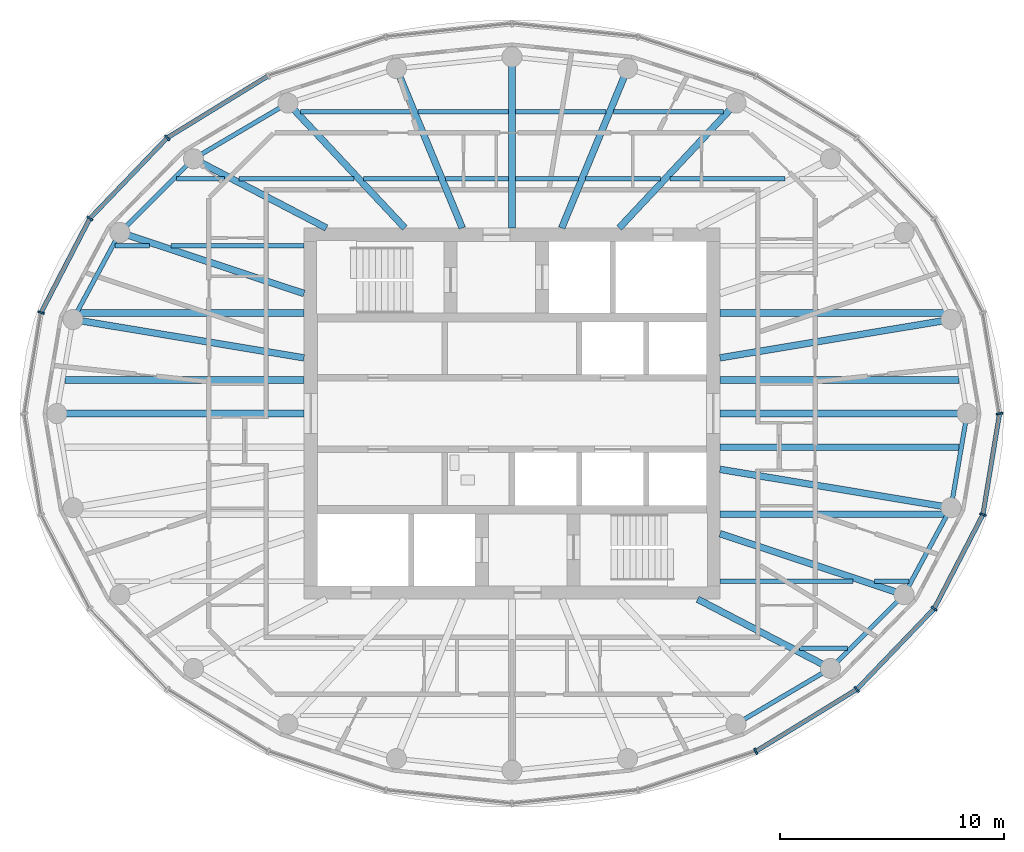
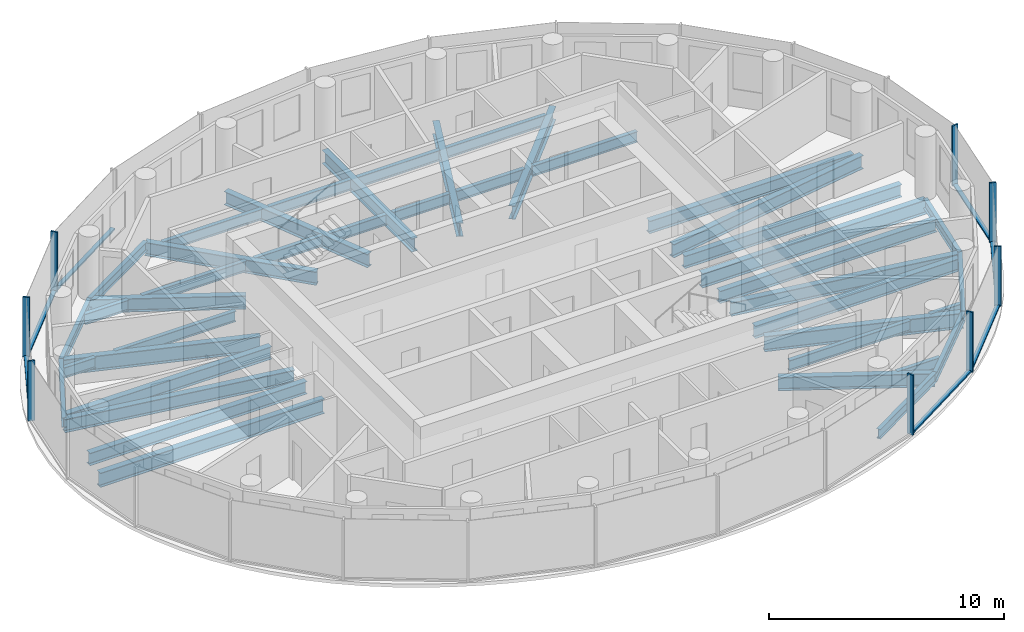
# One storey, part 2 of 12: 43 beams, 15 members, 3 elements without a shape of their own.
"""IFC4 building model written with IfcOpenShell, lengths in metres."""

import ifcopenshell
import ifcopenshell.guid

model = None  # the IFC model being written
_history = None  # IfcOwnerHistory: only IFC2X3 demands one
_inside = {}  # id of a spatial element -> (the spatial element, [elements in it])
_under = {}  # id of a project, library or spatial element -> (it, [spatial elements below it])
_declared = {}  # id of a project -> (the project, [libraries it declares])
_typed = {}  # id of a type object -> (the type object, [elements of that type])
_made_of = {}  # id of a material, layer set ... -> (it, [elements and type objects made of it])


def new_model(schema):
    """Start an empty IFC model of exactly this schema.

    Asked for "IFC4X3", IfcOpenShell would pick the latest addendum, in which some entities
    have other attributes; the version numbers below select the first issue.
    IFC2X3 requires an IfcOwnerHistory on every rooted entity: one is made here for all.
    """
    global model, _history
    if schema == "IFC4X3":
        model = ifcopenshell.file(schema_version=(4, 3, 0, 0))
    else:
        model = ifcopenshell.file(schema=schema)
    _inside.clear()
    _under.clear()
    _declared.clear()
    _typed.clear()
    _made_of.clear()
    _history = None
    if model.schema == "IFC2X3":
        org = make("IfcOrganization", Name="unknown")
        user = make(
            "IfcPersonAndOrganization",
            ThePerson=make("IfcPerson", FamilyName="unknown"),
            TheOrganization=org,
        )
        app = make(
            "IfcApplication",
            ApplicationDeveloper=org,
            Version="unknown",
            ApplicationFullName="unknown",
            ApplicationIdentifier="unknown",
        )
        _history = make(
            "IfcOwnerHistory",
            OwningUser=user,
            OwningApplication=app,
            ChangeAction="ADDED",
            CreationDate=0,
        )
    return model


def make(cls, **values):
    """One entity of the class cls with the attributes given. An attribute that is None is left unset."""
    return model.create_entity(
        cls, **{name: value for name, value in values.items() if value is not None}
    )


def rooted(cls, **values):
    """An entity with a GlobalId (a new one), such as an element, a storey or a relation."""
    return make(cls, GlobalId=ifcopenshell.guid.new(), OwnerHistory=_history, **values)


def si_unit(unit_type, name, prefix=None):
    """IfcSIUnit, for example si_unit("LENGTHUNIT", "METRE", prefix="MILLI")."""
    return make("IfcSIUnit", UnitType=unit_type, Prefix=prefix, Name=name)


def assignment(units):
    """IfcUnitAssignment: the units of a project."""
    return None if units is None else make("IfcUnitAssignment", Units=units)


def point(xyz):
    """IfcCartesianPoint."""
    return None if xyz is None else make("IfcCartesianPoint", Coordinates=xyz)


def direction(xyz):
    """IfcDirection."""
    return None if xyz is None else make("IfcDirection", DirectionRatios=xyz)


def frame(location, z_axis=None, x_axis=None):
    """IfcAxis2Placement3D, a coordinate frame: its origin and axes. An axis left out is left unset."""
    return make(
        "IfcAxis2Placement3D",
        Location=point(location),
        Axis=direction(z_axis),
        RefDirection=direction(x_axis),
    )


def frame_2d(location, x_axis=None):
    """IfcAxis2Placement2D, a coordinate frame in the plane: its origin and x axis."""
    return make(
        "IfcAxis2Placement2D", Location=point(location), RefDirection=direction(x_axis)
    )


def origin():
    """The frame at (0, 0, 0) with its axes left unset."""
    return frame((0.0, 0.0, 0.0))


def origin_2d():
    """The frame at (0, 0) in the plane with its x axis left unset."""
    return frame_2d((0.0, 0.0))


def place(relative_to, where):
    """IfcLocalPlacement: puts the frame where relative to a parent placement (None: the world)."""
    return make(
        "IfcLocalPlacement", PlacementRelTo=relative_to, RelativePlacement=where
    )


def context(
    kind, dimensions, precision=None, world=None, true_north=None, identifier=None
):
    """IfcGeometricRepresentationContext, for example the 3D "Model" context."""
    return make(
        "IfcGeometricRepresentationContext",
        ContextIdentifier=identifier,
        ContextType=kind,
        CoordinateSpaceDimension=dimensions,
        Precision=precision,
        WorldCoordinateSystem=world,
        TrueNorth=true_north,
    )


def subcontext(parent, identifier, kind, view, scale=None):
    """IfcGeometricRepresentationSubContext, for example "Body" below "Model"."""
    return make(
        "IfcGeometricRepresentationSubContext",
        ContextIdentifier=identifier,
        ContextType=kind,
        ParentContext=parent,
        TargetScale=scale,
        TargetView=view,
    )


def project(units=None, contexts=None):
    """IfcProject with its units and contexts."""
    return rooted(
        "IfcProject",
        Name="project",
        RepresentationContexts=contexts,
        UnitsInContext=assignment(units),
    )


def spatial(cls, under=None, at=None, **own):
    """A site, building, storey or space (cls), placed at a placement, below another one or the project."""
    s = rooted(cls, ObjectPlacement=at, **own)
    if under is not None:
        _under.setdefault(under.id(), (under, []))[1].append(s)
    return s


def profile(cls, at=None, kind="AREA", **sizes):
    """A parametric profile (cls). Its sizes go by their IFC names, for example OverallWidth=200.0."""
    return make(cls, ProfileType=kind, Position=at, **sizes)


def rectangle(**sizes):
    """IfcRectangleProfileDef."""
    return profile("IfcRectangleProfileDef", **sizes)


def i_section(**sizes):
    """IfcIShapeProfileDef."""
    return profile("IfcIShapeProfileDef", **sizes)


def extrude(swept, where, along, depth):
    """IfcExtrudedAreaSolid: the profile swept, set in the frame where, extruded along a direction by depth."""
    return make(
        "IfcExtrudedAreaSolid",
        SweptArea=swept,
        Position=where,
        ExtrudedDirection=direction(along),
        Depth=depth,
    )


def shape(context_of_items, identifier, shape_type, items):
    """IfcShapeRepresentation: the items that make up one representation, for example the "Body"."""
    return make(
        "IfcShapeRepresentation",
        ContextOfItems=context_of_items,
        RepresentationIdentifier=identifier,
        RepresentationType=shape_type,
        Items=items,
    )


def material(Name=None, Category=None):
    """IfcMaterial."""
    return make("IfcMaterial", Name=Name, Category=Category)


def material_profile(
    of_material, cross_section, Name=None, Category=None, Priority=None
):
    """IfcMaterialProfile: a cross section and its material."""
    return make(
        "IfcMaterialProfile",
        Name=Name,
        Material=of_material,
        Profile=cross_section,
        Priority=Priority,
        Category=Category,
    )


def profile_set(profiles, Name=None, composite=None):
    """IfcMaterialProfileSet."""
    return make(
        "IfcMaterialProfileSet",
        Name=Name,
        MaterialProfiles=profiles,
        CompositeProfile=composite,
    )


def made_of(thing, what):
    """Note that an element or type object is made of a material, layer set ...; save() writes the relation."""
    if what is not None:
        _made_of.setdefault(what.id(), (what, []))[1].append(thing)
    return thing


def type_object(cls, material=None, **own):
    """A type object (cls), such as IfcWallType, which elements share."""
    return made_of(rooted(cls, **own), material)


def element(
    cls,
    number,
    at=None,
    inside=None,
    cuts=None,
    type_object=None,
    material=None,
    context=None,
    identifier="Body",
    shape_type=None,
    held_by="IfcProductDefinitionShape",
    body=None,
    shapes=None,
    **own,
):
    """One element of the class cls, such as IfcWall. Its Tag is "e" and its number.

    at: its placement. inside: the storey or other place that contains it. cuts: it is an
    opening in that element (IfcRelVoidsElement). A single representation is given by context,
    identifier, shape_type and body (its items); several are given by shapes. held_by: the class
    of the entity that holds the representations. save() writes the other relations.
    """
    e = rooted(cls, Tag="e%d" % number, ObjectPlacement=at, **own)
    if body is not None:
        shapes = [shape(context, identifier, shape_type, body)]
    if shapes is not None:
        e.Representation = make(held_by, Representations=shapes)
    if inside is not None:
        _inside.setdefault(inside.id(), (inside, []))[1].append(e)
    if cuts is not None:
        rooted(
            "IfcRelVoidsElement", RelatingBuildingElement=cuts, RelatedOpeningElement=e
        )
    if type_object is not None:
        _typed.setdefault(type_object.id(), (type_object, []))[1].append(e)
    return made_of(e, material)


def aggregate(whole, parts):
    """IfcRelAggregates: a whole, such as a stair, and the parts it consists of."""
    return rooted("IfcRelAggregates", RelatingObject=whole, RelatedObjects=parts)


def save(model, path):
    """Write the relations noted so far, then the file.

    IfcRelAggregates (storeys below a building ...), IfcRelContainedInSpatialStructure (elements
    in a storey), IfcRelDefinesByType, IfcRelAssociatesMaterial and IfcRelDeclares: one each for
    every whole, place, type object, material and project.
    """
    for whole, parts in _under.values():
        aggregate(whole, parts)
    for where, things in _inside.values():
        rooted(
            "IfcRelContainedInSpatialStructure",
            RelatedElements=things,
            RelatingStructure=where,
        )
    for kind, things in _typed.values():
        rooted("IfcRelDefinesByType", RelatedObjects=things, RelatingType=kind)
    for what, things in _made_of.values():
        rooted("IfcRelAssociatesMaterial", RelatedObjects=things, RelatingMaterial=what)
    for by, libraries in _declared.values():
        rooted("IfcRelDeclares", RelatingContext=by, RelatedDefinitions=libraries)
    model.write(path)


model = new_model("IFC4")

# Units and contexts
model_context = context("Model", 3, precision=1e-05, world=origin(), true_north=direction((0.0, 1.0)))
body_context = subcontext(model_context, "Body", "Model", "MODEL_VIEW")
ifc_project = project(units=[si_unit("LENGTHUNIT", "METRE"), si_unit("AREAUNIT", "SQUARE_METRE"), si_unit("VOLUMEUNIT", "CUBIC_METRE"), si_unit("PLANEANGLEUNIT", "RADIAN"), si_unit("MASSUNIT", "GRAM", prefix="KILO")], contexts=[model_context])

# Site, building, storey
site_placement = place(None, origin())
site = spatial("IfcSite", under=ifc_project, at=site_placement, CompositionType="ELEMENT")
building_placement = place(site_placement, origin())
building = spatial("IfcBuilding", under=site, at=building_placement, Name="Hankou Lantern Tower", CompositionType="ELEMENT")
storey_placement = place(building_placement, frame((0.0, 0.0, 219.300048828125)))
storey = spatial("IfcBuildingStorey", under=building, at=storey_placement, Name="L59", CompositionType="ELEMENT", Elevation=219.300048828125)

# Beams
ifc_material_1 = material(Name="Steel Q355B", Category="steel")
ifc_material_profile_1 = material_profile(ifc_material_1, i_section(OverallWidth=0.199951171875, OverallDepth=0.5, WebThickness=0.010009765625, FlangeThickness=0.01611328125, FilletRadius=0.012939453125, at=origin_2d()), Name="HN500x200x10x16")
ifc_profile_set_1 = profile_set([ifc_material_profile_1], Name="Steel Q355B")
beam_type_1 = type_object("IfcBeamType", Name="EB5 RING BEAM HN500x200x10x16", PredefinedType="SPANDREL", material=ifc_profile_set_1)
beam_1_placement = place(storey_placement, frame((-10.01904296875, 13.8828125, -0.429931640625), z_axis=(-0.861422897323, -0.507888365655, 0.0), x_axis=(0.507888365655, -0.861422897323, 0.0)))
element("IfcBeam", 1, at=beam_1_placement, inside=storey, type_object=beam_type_1, Name="Ring beam R09-R10 L59", PredefinedType="SPANDREL", context=body_context, shape_type="SweptSolid", body=[
    extrude(i_section(OverallWidth=0.199951171875, OverallDepth=0.5, WebThickness=0.010009765625, FlangeThickness=0.01611328125, FilletRadius=0.012939453125, at=origin_2d()), origin(), (0.0, 0.0, 1.0), 4.901611328125),
])
beam_2_placement = place(storey_placement, frame((-14.241455078125, 11.393310546875, -0.429931640625), z_axis=(-0.706608588034, -0.707604623583, 0.0), x_axis=(0.707604623583, -0.706608588034, 0.0)))
element("IfcBeam", 2, at=beam_2_placement, inside=storey, type_object=beam_type_1, Name="Ring beam R10-R11 L59", PredefinedType="SPANDREL", context=body_context, shape_type="SweptSolid", body=[
    extrude(i_section(OverallWidth=0.199951171875, OverallDepth=0.5, WebThickness=0.010009765625, FlangeThickness=0.01611328125, FilletRadius=0.012939453125, at=origin_2d()), origin(), (0.0, 0.0, 1.0), 4.6572265625),
])
beam_3_placement = place(storey_placement, frame((-17.5322265625, 8.097900390625, -0.429931640625), z_axis=(-0.474491806611, -0.880259919262, 0.0), x_axis=(0.880259919262, -0.474491806611, 0.0)))
element("IfcBeam", 3, at=beam_3_placement, inside=storey, type_object=beam_type_1, Name="Ring beam R11-R12 L59", PredefinedType="SPANDREL", context=body_context, shape_type="SweptSolid", body=[
    extrude(i_section(OverallWidth=0.199951171875, OverallDepth=0.5, WebThickness=0.010009765625, FlangeThickness=0.01611328125, FilletRadius=0.012939453125, at=origin_2d()), origin(), (0.0, 0.0, 1.0), 4.419189453125),
])
beam_4_placement = place(storey_placement, frame((10.01904296875, -13.8828125, -0.429931640625), z_axis=(0.861422897323, 0.507888365655, 0.0), x_axis=(-0.507888365655, 0.861422897323, 0.0)))
element("IfcBeam", 4, at=beam_4_placement, inside=storey, type_object=beam_type_1, Name="Ring beam R21-R22 L59", PredefinedType="SPANDREL", context=body_context, shape_type="SweptSolid", body=[
    extrude(i_section(OverallWidth=0.199951171875, OverallDepth=0.5, WebThickness=0.010009765625, FlangeThickness=0.01611328125, FilletRadius=0.012939453125, at=origin_2d()), origin(), (0.0, 0.0, 1.0), 4.901611328125),
])
beam_5_placement = place(storey_placement, frame((14.241455078125, -11.393310546875, -0.429931640625), z_axis=(0.706608588034, 0.707604623583, 0.0), x_axis=(-0.707604623583, 0.706608588034, 0.0)))
element("IfcBeam", 5, at=beam_5_placement, inside=storey, type_object=beam_type_1, Name="Ring beam R22-R23 L59", PredefinedType="SPANDREL", context=body_context, shape_type="SweptSolid", body=[
    extrude(i_section(OverallWidth=0.199951171875, OverallDepth=0.5, WebThickness=0.010009765625, FlangeThickness=0.01611328125, FilletRadius=0.012939453125, at=origin_2d()), origin(), (0.0, 0.0, 1.0), 4.6572265625),
])
beam_6_placement = place(storey_placement, frame((17.5322265625, -8.097900390625, -0.429931640625), z_axis=(0.474491806611, 0.880259919262, 0.0), x_axis=(-0.880259919262, 0.474491806611, 0.0)))
element("IfcBeam", 6, at=beam_6_placement, inside=storey, type_object=beam_type_1, Name="Ring beam R23-R24 L59", PredefinedType="SPANDREL", context=body_context, shape_type="SweptSolid", body=[
    extrude(i_section(OverallWidth=0.199951171875, OverallDepth=0.5, WebThickness=0.010009765625, FlangeThickness=0.01611328125, FilletRadius=0.012939453125, at=origin_2d()), origin(), (0.0, 0.0, 1.0), 4.419189453125),
])
beam_7_placement = place(storey_placement, frame((19.629150390625, -4.207763671875, -0.429931640625), z_axis=(0.168876512999, 0.98563721691, 0.0), x_axis=(-0.98563721691, 0.168876512999, 0.0)))
element("IfcBeam", 7, at=beam_7_placement, inside=storey, type_object=beam_type_1, Name="Ring beam R24-R01 L59", PredefinedType="SPANDREL", context=body_context, shape_type="SweptSolid", body=[
    extrude(i_section(OverallWidth=0.199951171875, OverallDepth=0.5, WebThickness=0.010009765625, FlangeThickness=0.01611328125, FilletRadius=0.012939453125, at=origin_2d()), origin(), (0.0, 0.0, 1.0), 4.26904296875),
])

# Curtain wall, member
ifc_material_2 = material(Name="Glass, dark grey tinted laminated", Category="glass")
curtain_wall_type = type_object("IfcCurtainWallType", Name="CWD OUTER SKIN SUITE", PredefinedType="USERDEFINED", material=ifc_material_2)
curtain_wall_1_placement = place(storey_placement, origin())
curtain_wall_1 = element("IfcCurtainWall", 8, at=curtain_wall_1_placement, inside=storey, type_object=curtain_wall_type, Name="CWD L59 OS1", ObjectType="OUTER SKIN SUITE", PredefinedType="USERDEFINED")
ifc_material_3 = material(Name="Aluminium, black anodised", Category="aluminium")
ifc_material_profile_2 = material_profile(ifc_material_3, rectangle(XDim=0.080078125, YDim=0.300048828125, at=origin_2d()), Name="MU1 80X300")
ifc_profile_set_2 = profile_set([ifc_material_profile_2], Name="Aluminium, black anodised")
member_type_1 = type_object("IfcMemberType", Name="MU1 OUTER SKIN MULLION 80X300", PredefinedType="MULLION", material=ifc_profile_set_2)
member_1_placement = place(storey_placement, frame((21.800048828125, 0.0, 0.0), z_axis=(0.0, 0.0, 1.0), x_axis=(-0.162381515188, 0.986728049427, 0.0)))
member_1 = element("IfcMember", 9, at=member_1_placement, type_object=member_type_1, Name="CWD mullion 1", PredefinedType="MULLION", context=body_context, shape_type="SweptSolid", body=[
    extrude(rectangle(XDim=0.080078125, YDim=0.300048828125, at=origin_2d()), origin(), (0.0, 0.0, 1.0), 3.119873046875),
])
aggregate(curtain_wall_1, [member_1])

# Curtain wall, members
curtain_wall_2_placement = place(storey_placement, origin())
curtain_wall_2 = element("IfcCurtainWall", 10, at=curtain_wall_2_placement, inside=storey, type_object=curtain_wall_type, Name="CWD L59 OS2", ObjectType="OUTER SKIN SUITE", PredefinedType="USERDEFINED")
member_2_placement = place(storey_placement, frame((-15.4150390625, 12.33203125, 0.0), z_axis=(0.0, 0.0, 1.0), x_axis=(-0.780868809444, -0.624695047553, 0.0)))
member_2 = element("IfcMember", 11, at=member_2_placement, type_object=member_type_1, Name="CWD mullion 4", PredefinedType="MULLION", context=body_context, shape_type="SweptSolid", body=[
    extrude(rectangle(XDim=0.080078125, YDim=0.300048828125, at=origin_2d()), origin(), (0.0, 0.0, 1.0), 3.119873046875),
])
member_3_placement = place(storey_placement, frame((-18.87939453125, 8.719970703125, 0.0), z_axis=(0.0, 0.0, 1.0), x_axis=(-0.585205735974, -0.810884854084, 0.0)))
member_3 = element("IfcMember", 12, at=member_3_placement, type_object=member_type_1, Name="CWD mullion 5", PredefinedType="MULLION", context=body_context, shape_type="SweptSolid", body=[
    extrude(rectangle(XDim=0.080078125, YDim=0.300048828125, at=origin_2d()), origin(), (0.0, 0.0, 1.0), 3.119873046875),
])
member_4_placement = place(storey_placement, frame((-21.05712890625, 4.513916015625, 0.0), z_axis=(0.0, 0.0, 1.0), x_axis=(-0.317595577365, -0.94822626479, 0.0)))
member_4 = element("IfcMember", 13, at=member_4_placement, type_object=member_type_1, Name="CWD mullion 6", PredefinedType="MULLION", context=body_context, shape_type="SweptSolid", body=[
    extrude(rectangle(XDim=0.080078125, YDim=0.300048828125, at=origin_2d()), origin(), (0.0, 0.0, 1.0), 3.119873046875),
])

curtain_wall_3_placement = place(storey_placement, origin())
curtain_wall_3 = element("IfcCurtainWall", 14, at=curtain_wall_3_placement, inside=storey, type_object=curtain_wall_type, Name="CWD L59 OS4", ObjectType="OUTER SKIN SUITE", PredefinedType="USERDEFINED")
member_5_placement = place(storey_placement, frame((10.89990234375, -15.103515625, 0.0), z_axis=(0.0, 0.0, 1.0), x_axis=(0.907841299004, 0.419313934686, 0.0)))
member_5 = element("IfcMember", 15, at=member_5_placement, type_object=member_type_1, Name="CWD mullion 3", PredefinedType="MULLION", context=body_context, shape_type="SweptSolid", body=[
    extrude(rectangle(XDim=0.080078125, YDim=0.300048828125, at=origin_2d()), origin(), (0.0, 0.0, 1.0), 3.119873046875),
])
member_6_placement = place(storey_placement, frame((15.4150390625, -12.33203125, 0.0), z_axis=(0.0, 0.0, 1.0), x_axis=(0.780868809444, 0.624695047553, 0.0)))
member_6 = element("IfcMember", 16, at=member_6_placement, type_object=member_type_1, Name="CWD mullion 4", PredefinedType="MULLION", context=body_context, shape_type="SweptSolid", body=[
    extrude(rectangle(XDim=0.080078125, YDim=0.300048828125, at=origin_2d()), origin(), (0.0, 0.0, 1.0), 3.119873046875),
])
member_7_placement = place(storey_placement, frame((18.87939453125, -8.719970703125, 0.0), z_axis=(0.0, 0.0, 1.0), x_axis=(0.585205735974, 0.810884854084, 0.0)))
member_7 = element("IfcMember", 17, at=member_7_placement, type_object=member_type_1, Name="CWD mullion 5", PredefinedType="MULLION", context=body_context, shape_type="SweptSolid", body=[
    extrude(rectangle(XDim=0.080078125, YDim=0.300048828125, at=origin_2d()), origin(), (0.0, 0.0, 1.0), 3.119873046875),
])
member_8_placement = place(storey_placement, frame((21.05712890625, -4.513916015625, 0.0), z_axis=(0.0, 0.0, 1.0), x_axis=(0.317595577365, 0.94822626479, 0.0)))
member_8 = element("IfcMember", 18, at=member_8_placement, type_object=member_type_1, Name="CWD mullion 6", PredefinedType="MULLION", context=body_context, shape_type="SweptSolid", body=[
    extrude(rectangle(XDim=0.080078125, YDim=0.300048828125, at=origin_2d()), origin(), (0.0, 0.0, 1.0), 3.119873046875),
])

# Beams
ifc_material_4 = material(Name="Steel Q355B", Category="steel")
ifc_material_profile_3 = material_profile(ifc_material_4, i_section(OverallWidth=0.300048828125, OverallDepth=0.75, WebThickness=0.012939453125, FlangeThickness=0.02392578125, FilletRadius=0.01806640625, at=origin_2d()), Name="HN750x300x13x24")
ifc_profile_set_3 = profile_set([ifc_material_profile_3], Name="Steel Q355B")
beam_type_2 = type_object("IfcBeamType", Name="RB10 RADIAL BEAM HN750x300x13x24", PredefinedType="BEAM", material=ifc_profile_set_3)
for number, where, z_axis, x_axis, name in (
    (19, (9.300048828125, 0.0, -0.554931640625), (1.0, 0.0, 0.0), (0.0, 1.0, 0.0), "Radial beam R01 L59"),
    (20, (-9.300048828125, 0.0, -0.554931640625), (-1.0, 0.0, 0.0), (0.0, -1.0, 0.0), "Radial beam R13 L59"),
):
    element("IfcBeam", number, at=place(storey_placement, frame(where, z_axis=z_axis, x_axis=x_axis)), inside=storey, type_object=beam_type_2, Name=name, PredefinedType="BEAM", context=body_context, shape_type="SweptSolid", body=[
        extrude(i_section(OverallWidth=0.300048828125, OverallDepth=0.75, WebThickness=0.012939453125, FlangeThickness=0.02392578125, FilletRadius=0.01806640625, at=origin_2d()), origin(), (0.0, 0.0, 1.0), 11.050048828125),
    ])
ifc_material_5 = material(Name="Steel Q355B", Category="steel")
ifc_material_profile_4 = material_profile(ifc_material_5, i_section(OverallWidth=0.300048828125, OverallDepth=0.800048828125, WebThickness=0.013916015625, FlangeThickness=0.02587890625, FilletRadius=0.01806640625, at=origin_2d()), Name="HN800x300x14x26")
ifc_profile_set_4 = profile_set([ifc_material_profile_4], Name="Steel Q355B")
beam_type_3 = type_object("IfcBeamType", Name="RB11 RADIAL BEAM HN800x300x14x26", PredefinedType="BEAM", material=ifc_profile_set_4)
for number, where, z_axis, x_axis, name in (
    (21, (-9.300048828125, 5.369384765625, -0.580078125), (-0.949219608576, 0.314614263337, 0.0), (-0.314614263337, -0.949219608576, 0.0), "Radial beam R11 L59"),
    (22, (9.300048828125, -5.369384765625, -0.580078125), (0.949219608576, -0.314614263337, 0.0), (0.314614263337, 0.949219608576, 0.0), "Radial beam R23 L59"),
):
    element("IfcBeam", number, at=place(storey_placement, frame(where, z_axis=z_axis, x_axis=x_axis)), inside=storey, type_object=beam_type_3, Name=name, PredefinedType="BEAM", context=body_context, shape_type="SweptSolid", body=[
        extrude(i_section(OverallWidth=0.300048828125, OverallDepth=0.800048828125, WebThickness=0.013916015625, FlangeThickness=0.02587890625, FilletRadius=0.01806640625, at=origin_2d()), origin(), (0.0, 0.0, 1.0), 8.672607421875),
    ])
ifc_material_6 = material(Name="Steel Q355B", Category="steel")
ifc_material_profile_5 = material_profile(ifc_material_6, i_section(OverallWidth=0.300048828125, OverallDepth=0.699951171875, WebThickness=0.012939453125, FlangeThickness=0.02392578125, FilletRadius=0.01806640625, at=origin_2d()), Name="HN700x300x13x24")
ifc_profile_set_5 = profile_set([ifc_material_profile_5], Name="Steel Q355B")
beam_type_4 = type_object("IfcBeamType", Name="RB9 RADIAL BEAM HN700x300x13x24", PredefinedType="BEAM", material=ifc_profile_set_5)
beam_8_placement = place(storey_placement, frame((9.300048828125, 2.491943359375, -0.530029296875), z_axis=(0.986482007061, 0.163869612027, 0.0), x_axis=(-0.163869612027, 0.986482007061, 0.0)))
element("IfcBeam", 23, at=beam_8_placement, inside=storey, type_object=beam_type_4, Name="Radial beam R02 L59", PredefinedType="BEAM", context=body_context, shape_type="SweptSolid", body=[
    extrude(i_section(OverallWidth=0.300048828125, OverallDepth=0.699951171875, WebThickness=0.012939453125, FlangeThickness=0.02392578125, FilletRadius=0.01806640625, at=origin_2d()), origin(), (0.0, 0.0, 1.0), 10.470703125),
])
beam_9_placement = place(storey_placement, frame((4.7919921875, 8.300048828125, -0.530029296875), z_axis=(0.68346844743, 0.729980055459, 0.0), x_axis=(-0.729980055459, 0.68346844743, 0.0)))
element("IfcBeam", 24, at=beam_9_placement, inside=storey, type_object=beam_type_4, Name="Radial beam R05 L59", PredefinedType="BEAM", context=body_context, shape_type="SweptSolid", body=[
    extrude(i_section(OverallWidth=0.300048828125, OverallDepth=0.699951171875, WebThickness=0.012939453125, FlangeThickness=0.02392578125, FilletRadius=0.01806640625, at=origin_2d()), origin(), (0.0, 0.0, 1.0), 7.64794921875),
])
beam_10_placement = place(storey_placement, frame((2.223876953125, 8.300048828125, -0.530029296875), z_axis=(0.381706648123, 0.924283525104, 0.0), x_axis=(-0.924283525104, 0.381706648123, 0.0)))
element("IfcBeam", 25, at=beam_10_placement, inside=storey, type_object=beam_type_4, Name="Radial beam R06 L59", PredefinedType="BEAM", context=body_context, shape_type="SweptSolid", body=[
    extrude(i_section(OverallWidth=0.300048828125, OverallDepth=0.699951171875, WebThickness=0.012939453125, FlangeThickness=0.02392578125, FilletRadius=0.01806640625, at=origin_2d()), origin(), (0.0, 0.0, 1.0), 7.7109375),
])
beam_11_placement = place(storey_placement, frame((0.0, 8.300048828125, -0.530029296875), z_axis=(0.0, 1.0, 0.0), x_axis=(-1.0, 0.0, 0.0)))
element("IfcBeam", 26, at=beam_11_placement, inside=storey, type_object=beam_type_4, Name="Radial beam R07 L59", PredefinedType="BEAM", context=body_context, shape_type="SweptSolid", body=[
    extrude(i_section(OverallWidth=0.300048828125, OverallDepth=0.699951171875, WebThickness=0.012939453125, FlangeThickness=0.02392578125, FilletRadius=0.01806640625, at=origin_2d()), origin(), (0.0, 0.0, 1.0), 7.64990234375),
])
beam_12_placement = place(storey_placement, frame((-2.223876953125, 8.300048828125, -0.530029296875), z_axis=(-0.381706648123, 0.924283525104, 0.0), x_axis=(-0.924283525104, -0.381706648123, 0.0)))
element("IfcBeam", 27, at=beam_12_placement, inside=storey, type_object=beam_type_4, Name="Radial beam R08 L59", PredefinedType="BEAM", context=body_context, shape_type="SweptSolid", body=[
    extrude(i_section(OverallWidth=0.300048828125, OverallDepth=0.699951171875, WebThickness=0.012939453125, FlangeThickness=0.02392578125, FilletRadius=0.01806640625, at=origin_2d()), origin(), (0.0, 0.0, 1.0), 7.7109375),
])
beam_13_placement = place(storey_placement, frame((-4.7919921875, 8.300048828125, -0.530029296875), z_axis=(-0.68346844743, 0.729980055459, 0.0), x_axis=(-0.729980055459, -0.68346844743, 0.0)))
element("IfcBeam", 28, at=beam_13_placement, inside=storey, type_object=beam_type_4, Name="Radial beam R09 L59", PredefinedType="BEAM", context=body_context, shape_type="SweptSolid", body=[
    extrude(i_section(OverallWidth=0.300048828125, OverallDepth=0.699951171875, WebThickness=0.012939453125, FlangeThickness=0.02392578125, FilletRadius=0.01806640625, at=origin_2d()), origin(), (0.0, 0.0, 1.0), 7.64794921875),
])
beam_14_placement = place(storey_placement, frame((-8.300048828125, 8.300048828125, -0.530029296875), z_axis=(-0.886988734783, 0.461791061378, 0.0), x_axis=(-0.461791061378, -0.886988734783, 0.0)))
element("IfcBeam", 29, at=beam_14_placement, inside=storey, type_object=beam_type_4, Name="Radial beam R10 L59", PredefinedType="BEAM", context=body_context, shape_type="SweptSolid", body=[
    extrude(i_section(OverallWidth=0.300048828125, OverallDepth=0.699951171875, WebThickness=0.012939453125, FlangeThickness=0.02392578125, FilletRadius=0.01806640625, at=origin_2d()), origin(), (0.0, 0.0, 1.0), 6.698486328125),
])
beam_15_placement = place(storey_placement, frame((-9.300048828125, 2.491943359375, -0.530029296875), z_axis=(-0.986482007061, 0.163869612027, 0.0), x_axis=(-0.163869612027, -0.986482007061, 0.0)))
element("IfcBeam", 30, at=beam_15_placement, inside=storey, type_object=beam_type_4, Name="Radial beam R12 L59", PredefinedType="BEAM", context=body_context, shape_type="SweptSolid", body=[
    extrude(i_section(OverallWidth=0.300048828125, OverallDepth=0.699951171875, WebThickness=0.012939453125, FlangeThickness=0.02392578125, FilletRadius=0.01806640625, at=origin_2d()), origin(), (0.0, 0.0, 1.0), 10.470703125),
])
beam_16_placement = place(storey_placement, frame((8.300048828125, -8.300048828125, -0.530029296875), z_axis=(0.886988734783, -0.461791061378, 0.0), x_axis=(0.461791061378, 0.886988734783, 0.0)))
element("IfcBeam", 31, at=beam_16_placement, inside=storey, type_object=beam_type_4, Name="Radial beam R22 L59", PredefinedType="BEAM", context=body_context, shape_type="SweptSolid", body=[
    extrude(i_section(OverallWidth=0.300048828125, OverallDepth=0.699951171875, WebThickness=0.012939453125, FlangeThickness=0.02392578125, FilletRadius=0.01806640625, at=origin_2d()), origin(), (0.0, 0.0, 1.0), 6.698486328125),
])
beam_17_placement = place(storey_placement, frame((9.300048828125, -2.491943359375, -0.530029296875), z_axis=(0.986482007061, -0.163869612027, 0.0), x_axis=(0.163869612027, 0.986482007061, 0.0)))
element("IfcBeam", 32, at=beam_17_placement, inside=storey, type_object=beam_type_4, Name="Radial beam R24 L59", PredefinedType="BEAM", context=body_context, shape_type="SweptSolid", body=[
    extrude(i_section(OverallWidth=0.300048828125, OverallDepth=0.699951171875, WebThickness=0.012939453125, FlangeThickness=0.02392578125, FilletRadius=0.01806640625, at=origin_2d()), origin(), (0.0, 0.0, 1.0), 10.470703125),
])
ifc_material_7 = material(Name="Steel Q355B", Category="steel")
ifc_material_profile_6 = material_profile(ifc_material_7, i_section(OverallWidth=0.199951171875, OverallDepth=0.550048828125, WebThickness=0.010009765625, FlangeThickness=0.01611328125, FilletRadius=0.012939453125, at=origin_2d()), Name="HN550x200x10x16")
ifc_profile_set_6 = profile_set([ifc_material_profile_6], Name="Steel Q355B")
beam_type_5 = type_object("IfcBeamType", Name="SB6 SECONDARY BEAM HN550x200x10x16", PredefinedType="JOIST", material=ifc_profile_set_6)
beam_18_placement = place(storey_placement, frame((12.8505859375, -10.5, -0.455078125), z_axis=(1.0, 0.0, 0.0), x_axis=(0.0, 1.0, 0.0)))
element("IfcBeam", 33, at=beam_18_placement, inside=storey, type_object=beam_type_5, Name="Floor joist J012 L59", PredefinedType="JOIST", context=body_context, shape_type="SweptSolid", body=[
    extrude(i_section(OverallWidth=0.199951171875, OverallDepth=0.550048828125, WebThickness=0.010009765625, FlangeThickness=0.01611328125, FilletRadius=0.012939453125, at=origin_2d()), origin(), (0.0, 0.0, 1.0), 2.1416015625),
])
beam_19_placement = place(storey_placement, frame((9.300048828125, -7.5, -0.455078125), z_axis=(1.0, 0.0, 0.0), x_axis=(0.0, 1.0, 0.0)))
element("IfcBeam", 34, at=beam_19_placement, inside=storey, type_object=beam_type_5, Name="Floor joist J015 L59", PredefinedType="JOIST", context=body_context, shape_type="SweptSolid", body=[
    extrude(i_section(OverallWidth=0.199951171875, OverallDepth=0.550048828125, WebThickness=0.010009765625, FlangeThickness=0.01611328125, FilletRadius=0.012939453125, at=origin_2d()), origin(), (0.0, 0.0, 1.0), 5.95166015625),
])
for number, where, z_axis, x_axis, name in (
    (35, (16.205322265625, -7.5, -0.455078125), (1.0, 0.0, 0.0), (0.0, 1.0, 0.0), "Floor joist J016 L59"),
    (36, (-17.740966796875, 7.5, -0.455078125), (1.0, 0.0, 0.0), (0.0, 1.0, 0.0), "Floor joist J025 L59"),
):
    element("IfcBeam", number, at=place(storey_placement, frame(where, z_axis=z_axis, x_axis=x_axis)), inside=storey, type_object=beam_type_5, Name=name, PredefinedType="JOIST", context=body_context, shape_type="SweptSolid", body=[
        extrude(i_section(OverallWidth=0.199951171875, OverallDepth=0.550048828125, WebThickness=0.010009765625, FlangeThickness=0.01611328125, FilletRadius=0.012939453125, at=origin_2d()), origin(), (0.0, 0.0, 1.0), 1.53564453125),
    ])
beam_20_placement = place(storey_placement, frame((-15.251708984375, 7.5, -0.455078125), z_axis=(1.0, 0.0, 0.0), x_axis=(0.0, 1.0, 0.0)))
element("IfcBeam", 37, at=beam_20_placement, inside=storey, type_object=beam_type_5, Name="Floor joist J026 L59", PredefinedType="JOIST", context=body_context, shape_type="SweptSolid", body=[
    extrude(i_section(OverallWidth=0.199951171875, OverallDepth=0.550048828125, WebThickness=0.010009765625, FlangeThickness=0.01611328125, FilletRadius=0.012939453125, at=origin_2d()), origin(), (0.0, 0.0, 1.0), 5.95166015625),
])
beam_21_placement = place(storey_placement, frame((-14.9921875, 10.5, -0.455078125), z_axis=(1.0, 0.0, 0.0), x_axis=(0.0, 1.0, 0.0)))
element("IfcBeam", 38, at=beam_21_placement, inside=storey, type_object=beam_type_5, Name="Floor joist J029 L59", PredefinedType="JOIST", context=body_context, shape_type="SweptSolid", body=[
    extrude(i_section(OverallWidth=0.199951171875, OverallDepth=0.550048828125, WebThickness=0.010009765625, FlangeThickness=0.01611328125, FilletRadius=0.012939453125, at=origin_2d()), origin(), (0.0, 0.0, 1.0), 2.1416015625),
])
beam_22_placement = place(storey_placement, frame((-12.200927734375, 10.5, -0.455078125), z_axis=(1.0, 0.0, 0.0), x_axis=(0.0, 1.0, 0.0)))
element("IfcBeam", 39, at=beam_22_placement, inside=storey, type_object=beam_type_5, Name="Floor joist J030 L59", PredefinedType="JOIST", context=body_context, shape_type="SweptSolid", body=[
    extrude(i_section(OverallWidth=0.199951171875, OverallDepth=0.550048828125, WebThickness=0.010009765625, FlangeThickness=0.01611328125, FilletRadius=0.012939453125, at=origin_2d()), origin(), (0.0, 0.0, 1.0), 5.1435546875),
])
beam_23_placement = place(storey_placement, frame((-6.646240234375, 10.5, -0.455078125), z_axis=(1.0, 0.0, 0.0), x_axis=(0.0, 1.0, 0.0)))
element("IfcBeam", 40, at=beam_23_placement, inside=storey, type_object=beam_type_5, Name="Floor joist J031 L59", PredefinedType="JOIST", context=body_context, shape_type="SweptSolid", body=[
    extrude(i_section(OverallWidth=0.199951171875, OverallDepth=0.550048828125, WebThickness=0.010009765625, FlangeThickness=0.01611328125, FilletRadius=0.012939453125, at=origin_2d()), origin(), (0.0, 0.0, 1.0), 3.3515625),
])
for number, where, z_axis, x_axis, name in (
    (41, (-2.97021484375, 10.5, -0.455078125), (1.0, 0.0, 0.0), (0.0, 1.0, 0.0), "Floor joist J032 L59"),
    (42, (0.14990234375, 10.5, -0.455078125), (1.0, 0.0, 0.0), (0.0, 1.0, 0.0), "Floor joist J033 L59"),
):
    element("IfcBeam", number, at=place(storey_placement, frame(where, z_axis=z_axis, x_axis=x_axis)), inside=storey, type_object=beam_type_5, Name=name, PredefinedType="JOIST", context=body_context, shape_type="SweptSolid", body=[
        extrude(i_section(OverallWidth=0.199951171875, OverallDepth=0.550048828125, WebThickness=0.010009765625, FlangeThickness=0.01611328125, FilletRadius=0.012939453125, at=origin_2d()), origin(), (0.0, 0.0, 1.0), 2.8203125),
    ])
beam_24_placement = place(storey_placement, frame((3.294677734375, 10.5, -0.455078125), z_axis=(1.0, 0.0, 0.0), x_axis=(0.0, 1.0, 0.0)))
element("IfcBeam", 43, at=beam_24_placement, inside=storey, type_object=beam_type_5, Name="Floor joist J034 L59", PredefinedType="JOIST", context=body_context, shape_type="SweptSolid", body=[
    extrude(i_section(OverallWidth=0.199951171875, OverallDepth=0.550048828125, WebThickness=0.010009765625, FlangeThickness=0.01611328125, FilletRadius=0.012939453125, at=origin_2d()), origin(), (0.0, 0.0, 1.0), 3.3515625),
])
beam_25_placement = place(storey_placement, frame((7.057373046875, 10.5, -0.455078125), z_axis=(1.0, 0.0, 0.0), x_axis=(0.0, 1.0, 0.0)))
element("IfcBeam", 44, at=beam_25_placement, inside=storey, type_object=beam_type_5, Name="Floor joist J035 L59", PredefinedType="JOIST", context=body_context, shape_type="SweptSolid", body=[
    extrude(i_section(OverallWidth=0.199951171875, OverallDepth=0.550048828125, WebThickness=0.010009765625, FlangeThickness=0.01611328125, FilletRadius=0.012939453125, at=origin_2d()), origin(), (0.0, 0.0, 1.0), 5.1435546875),
])
beam_26_placement = place(storey_placement, frame((-9.455078125, 13.5, -0.455078125), z_axis=(1.0, 0.0, 0.0), x_axis=(0.0, 1.0, 0.0)))
element("IfcBeam", 45, at=beam_26_placement, inside=storey, type_object=beam_type_5, Name="Floor joist J037 L59", PredefinedType="JOIST", context=body_context, shape_type="SweptSolid", body=[
    extrude(i_section(OverallWidth=0.199951171875, OverallDepth=0.550048828125, WebThickness=0.010009765625, FlangeThickness=0.01611328125, FilletRadius=0.012939453125, at=origin_2d()), origin(), (0.0, 0.0, 1.0), 4.92138671875),
])
for number, where, z_axis, x_axis, name in (
    (46, (-4.208984375, 13.5, -0.455078125), (1.0, 0.0, 0.0), (0.0, 1.0, 0.0), "Floor joist J038 L59"),
    (47, (0.14990234375, 13.5, -0.455078125), (1.0, 0.0, 0.0), (0.0, 1.0, 0.0), "Floor joist J039 L59"),
):
    element("IfcBeam", number, at=place(storey_placement, frame(where, z_axis=z_axis, x_axis=x_axis)), inside=storey, type_object=beam_type_5, Name=name, PredefinedType="JOIST", context=body_context, shape_type="SweptSolid", body=[
        extrude(i_section(OverallWidth=0.199951171875, OverallDepth=0.550048828125, WebThickness=0.010009765625, FlangeThickness=0.01611328125, FilletRadius=0.012939453125, at=origin_2d()), origin(), (0.0, 0.0, 1.0), 4.05908203125),
    ])
beam_27_placement = place(storey_placement, frame((4.53369140625, 13.5, -0.455078125), z_axis=(1.0, 0.0, 0.0), x_axis=(0.0, 1.0, 0.0)))
element("IfcBeam", 48, at=beam_27_placement, inside=storey, type_object=beam_type_5, Name="Floor joist J040 L59", PredefinedType="JOIST", context=body_context, shape_type="SweptSolid", body=[
    extrude(i_section(OverallWidth=0.199951171875, OverallDepth=0.550048828125, WebThickness=0.010009765625, FlangeThickness=0.01611328125, FilletRadius=0.012939453125, at=origin_2d()), origin(), (0.0, 0.0, 1.0), 4.92138671875),
])
ifc_material_8 = material(Name="Steel Q355B", Category="steel")
ifc_material_profile_7 = material_profile(ifc_material_8, i_section(OverallWidth=0.300048828125, OverallDepth=0.64990234375, WebThickness=0.010986328125, FlangeThickness=0.01708984375, FilletRadius=0.01806640625, at=origin_2d()), Name="HN650x300x11x17")
ifc_profile_set_7 = profile_set([ifc_material_profile_7], Name="Steel Q355B")
beam_type_6 = type_object("IfcBeamType", Name="SB8 SECONDARY BEAM HN650x300x11x17", PredefinedType="JOIST", material=ifc_profile_set_7)
beam_28_placement = place(storey_placement, frame((9.300048828125, -4.5, -0.505126953125), z_axis=(1.0, 0.0, 0.0), x_axis=(0.0, 1.0, 0.0)))
element("IfcBeam", 49, at=beam_28_placement, inside=storey, type_object=beam_type_6, Name="Floor joist J018 L59", PredefinedType="JOIST", context=body_context, shape_type="SweptSolid", body=[
    extrude(i_section(OverallWidth=0.300048828125, OverallDepth=0.64990234375, WebThickness=0.010986328125, FlangeThickness=0.01708984375, FilletRadius=0.01806640625, at=origin_2d()), origin(), (0.0, 0.0, 1.0), 10.057861328125),
])
for number, where, z_axis, x_axis, name in (
    (50, (9.300048828125, -1.5, -0.505126953125), (1.0, 0.0, 0.0), (0.0, 1.0, 0.0), "Floor joist J020 L59"),
    (51, (-19.991455078125, 1.5, -0.505126953125), (1.0, 0.0, 0.0), (0.0, 1.0, 0.0), "Floor joist J021 L59"),
    (52, (9.300048828125, 1.5, -0.505126953125), (1.0, 0.0, 0.0), (0.0, 1.0, 0.0), "Floor joist J022 L59"),
):
    element("IfcBeam", number, at=place(storey_placement, frame(where, z_axis=z_axis, x_axis=x_axis)), inside=storey, type_object=beam_type_6, Name=name, PredefinedType="JOIST", context=body_context, shape_type="SweptSolid", body=[
        extrude(i_section(OverallWidth=0.300048828125, OverallDepth=0.64990234375, WebThickness=0.010986328125, FlangeThickness=0.01708984375, FilletRadius=0.01806640625, at=origin_2d()), origin(), (0.0, 0.0, 1.0), 10.69140625),
    ])
for number, where, z_axis, x_axis, name in (
    (53, (-19.35791015625, 4.5, -0.505126953125), (1.0, 0.0, 0.0), (0.0, 1.0, 0.0), "Floor joist J023 L59"),
    (54, (9.300048828125, 4.5, -0.505126953125), (1.0, 0.0, 0.0), (0.0, 1.0, 0.0), "Floor joist J024 L59"),
):
    element("IfcBeam", number, at=place(storey_placement, frame(where, z_axis=z_axis, x_axis=x_axis)), inside=storey, type_object=beam_type_6, Name=name, PredefinedType="JOIST", context=body_context, shape_type="SweptSolid", body=[
        extrude(i_section(OverallWidth=0.300048828125, OverallDepth=0.64990234375, WebThickness=0.010986328125, FlangeThickness=0.01708984375, FilletRadius=0.01806640625, at=origin_2d()), origin(), (0.0, 0.0, 1.0), 10.057861328125),
    ])

# Member
ifc_material_9 = material(Name="Aluminium, black anodised", Category="aluminium")
ifc_material_profile_8 = material_profile(ifc_material_9, rectangle(XDim=0.199951171875, YDim=0.080078125, at=origin_2d()), Name="TR1 200X80")
ifc_profile_set_8 = profile_set([ifc_material_profile_8], Name="Aluminium, black anodised")
member_type_2 = type_object("IfcMemberType", Name="TR1 OUTER SKIN TRANSOM 200X80", PredefinedType="USERDEFINED", material=ifc_profile_set_8)
member_9_placement = place(storey_placement, frame((-10.93408203125, 15.08251953125, 0.0400390625), z_axis=(-0.852234544008, -0.523159900986, 0.0), x_axis=(0.523159900986, -0.852234544008, 0.0)))
member_9 = element("IfcMember", 55, at=member_9_placement, type_object=member_type_2, Name="CWD transom 3", ObjectType="TRANSOM", PredefinedType="USERDEFINED", context=body_context, shape_type="SweptSolid", body=[
    extrude(rectangle(XDim=0.199951171875, YDim=0.080078125, at=origin_2d()), origin(), (0.0, 0.0, 1.0), 5.2177734375),
])

member_10_placement = place(storey_placement, frame((-15.442626953125, 12.302978515625, 0.0400390625), z_axis=(-0.692204633274, -0.721701285626, 0.0), x_axis=(0.721701285626, -0.692204633274, 0.0)))
member_10 = element("IfcMember", 56, at=member_10_placement, type_object=member_type_2, Name="CWD transom 4", ObjectType="TRANSOM", PredefinedType="USERDEFINED", context=body_context, shape_type="SweptSolid", body=[
    extrude(rectangle(XDim=0.199951171875, YDim=0.080078125, at=origin_2d()), origin(), (0.0, 0.0, 1.0), 4.9248046875),
])

member_11_placement = place(storey_placement, frame((-18.897705078125, 8.6845703125, 0.0400390625), z_axis=(-0.45979371115, -0.888025755925, 0.0), x_axis=(0.888025755925, -0.45979371115, 0.0)))
member_11 = element("IfcMember", 57, at=member_11_placement, type_object=member_type_2, Name="CWD transom 5", ObjectType="TRANSOM", PredefinedType="USERDEFINED", context=body_context, shape_type="SweptSolid", body=[
    extrude(rectangle(XDim=0.199951171875, YDim=0.080078125, at=origin_2d()), origin(), (0.0, 0.0, 1.0), 4.65673828125),
])

aggregate(curtain_wall_2, [member_2, member_3, member_4, member_9, member_10, member_11])

member_12_placement = place(storey_placement, frame((10.93408203125, -15.08251953125, 0.0400390625), z_axis=(0.852234544008, 0.523159900986, 0.0), x_axis=(-0.523159900986, 0.852234544008, 0.0)))
member_12 = element("IfcMember", 58, at=member_12_placement, type_object=member_type_2, Name="CWD transom 3", ObjectType="TRANSOM", PredefinedType="USERDEFINED", context=body_context, shape_type="SweptSolid", body=[
    extrude(rectangle(XDim=0.199951171875, YDim=0.080078125, at=origin_2d()), origin(), (0.0, 0.0, 1.0), 5.2177734375),
])

member_13_placement = place(storey_placement, frame((15.442626953125, -12.302978515625, 0.0400390625), z_axis=(0.692204633274, 0.721701285626, 0.0), x_axis=(-0.721701285626, 0.692204633274, 0.0)))
member_13 = element("IfcMember", 59, at=member_13_placement, type_object=member_type_2, Name="CWD transom 4", ObjectType="TRANSOM", PredefinedType="USERDEFINED", context=body_context, shape_type="SweptSolid", body=[
    extrude(rectangle(XDim=0.199951171875, YDim=0.080078125, at=origin_2d()), origin(), (0.0, 0.0, 1.0), 4.9248046875),
])

member_14_placement = place(storey_placement, frame((18.897705078125, -8.6845703125, 0.0400390625), z_axis=(0.45979371115, 0.888025755925, 0.0), x_axis=(-0.888025755925, 0.45979371115, 0.0)))
member_14 = element("IfcMember", 60, at=member_14_placement, type_object=member_type_2, Name="CWD transom 5", ObjectType="TRANSOM", PredefinedType="USERDEFINED", context=body_context, shape_type="SweptSolid", body=[
    extrude(rectangle(XDim=0.199951171875, YDim=0.080078125, at=origin_2d()), origin(), (0.0, 0.0, 1.0), 4.65673828125),
])

member_15_placement = place(storey_placement, frame((21.063720703125, -4.474365234375, 0.0400390625), z_axis=(0.162363822839, 0.986730960816, 0.0), x_axis=(-0.986730960816, 0.162363822839, 0.0)))
member_15 = element("IfcMember", 61, at=member_15_placement, type_object=member_type_2, Name="CWD transom 6", ObjectType="TRANSOM", PredefinedType="USERDEFINED", context=body_context, shape_type="SweptSolid", body=[
    extrude(rectangle(XDim=0.199951171875, YDim=0.080078125, at=origin_2d()), origin(), (0.0, 0.0, 1.0), 4.494384765625),
])

aggregate(curtain_wall_3, [member_5, member_6, member_7, member_8, member_12, member_13, member_14, member_15])

save(model, "model.ifc")
